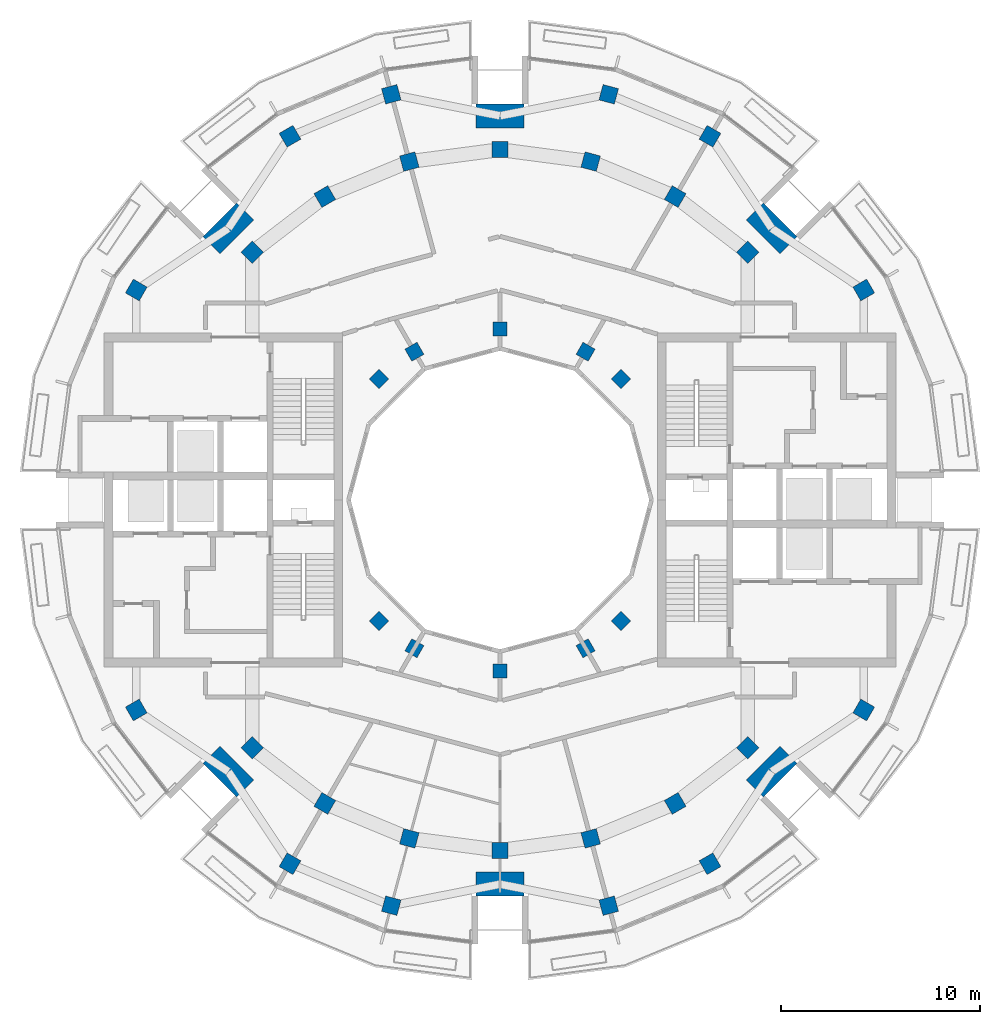
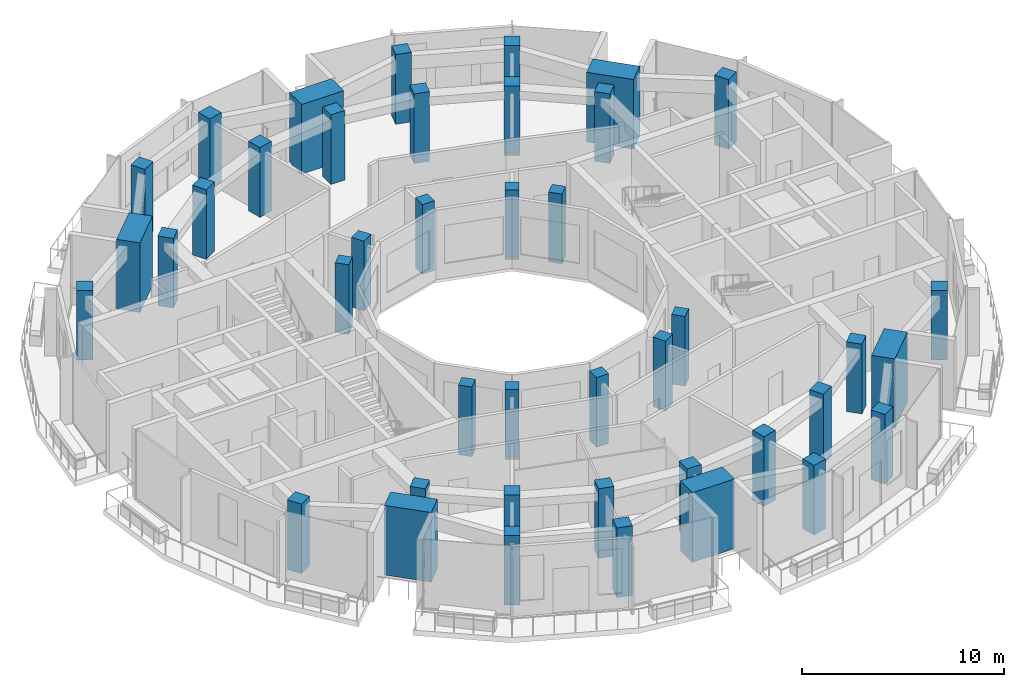
# One storey, part 1 of 16: 42 columns.
"""IFC4 building model written with IfcOpenShell, lengths in metres."""

from ifc_helpers import new_model, si_unit, direction, frame, origin, origin_2d, place, context, subcontext, project, spatial, rectangle, extrude, material, material_profile, profile_set, type_object, element, save


model = new_model("IFC4")

# Units and contexts
model_context = context("Model", 3, precision=1e-05, world=origin(), true_north=direction((0.0, 1.0)))
body_context = subcontext(model_context, "Body", "Model", "MODEL_VIEW")
ifc_project = project(units=[si_unit("LENGTHUNIT", "METRE"), si_unit("AREAUNIT", "SQUARE_METRE"), si_unit("VOLUMEUNIT", "CUBIC_METRE"), si_unit("PLANEANGLEUNIT", "RADIAN"), si_unit("MASSUNIT", "GRAM", prefix="KILO")], contexts=[model_context])

# Site, building, storey
site_placement = place(None, origin())
site = spatial("IfcSite", under=ifc_project, at=site_placement, CompositionType="ELEMENT")
building_placement = place(site_placement, origin())
building = spatial("IfcBuilding", under=site, at=building_placement, Name="Torre Brocal", CompositionType="ELEMENT")
storey_placement = place(building_placement, frame((0.0, 0.0, 292.5)))
storey = spatial("IfcBuildingStorey", under=building, at=storey_placement, Name="L67", CompositionType="ELEMENT", Elevation=292.5)

# Columns
ifc_material_1 = material(Name="Concrete C50", Category="concrete")
ifc_material_profile_1 = material_profile(ifc_material_1, rectangle(XDim=1.199951171875, YDim=2.39990234375, at=origin_2d()), Name="RC 1200X2400")
ifc_profile_set_1 = profile_set([ifc_material_profile_1], Name="Concrete C50")
column_type_1 = type_object("IfcColumnType", Name="RC COLUMN 1200X2400 C50", PredefinedType="COLUMN", material=ifc_profile_set_1)
for number, where, z_axis, x_axis, name in (
    (1, (93.647216796875, 88.647216796875, 0.0), (0.0, 0.0, 1.0), (0.707106781187, 0.707106781187, 0.0), "Column MCB-1"),
    (2, (80.0, 94.300048828125, 0.0), (0.0, 0.0, 1.0), (0.0, 1.0, 0.0), "Column MCB-2"),
    (3, (66.352783203125, 88.647216796875, 0.0), (0.0, 0.0, 1.0), (-0.707106781187, 0.707106781187, 0.0), "Column MCB-3"),
    (4, (66.352783203125, 61.352783203125, 0.0), (0.0, 0.0, 1.0), (-0.707106781187, -0.707106781187, 0.0), "Column MCB-5"),
    (5, (80.0, 55.699951171875, 0.0), (0.0, 0.0, 1.0), (0.0, -1.0, 0.0), "Column MCB-6"),
    (6, (93.647216796875, 61.352783203125, 0.0), (0.0, 0.0, 1.0), (0.707106781187, -0.707106781187, 0.0), "Column MCB-7"),
):
    element("IfcColumn", number, at=place(storey_placement, frame(where, z_axis=z_axis, x_axis=x_axis)), inside=storey, type_object=column_type_1, Name=name, PredefinedType="COLUMN", context=body_context, shape_type="SweptSolid", body=[
        extrude(rectangle(XDim=1.199951171875, YDim=2.39990234375, at=origin_2d()), origin(), (0.0, 0.0, 1.0), 4.199951171875),
    ])
ifc_material_2 = material(Name="Concrete C50", Category="concrete")
ifc_material_profile_2 = material_profile(ifc_material_2, rectangle(XDim=0.699951171875, YDim=0.699951171875, at=origin_2d()), Name="RC 700X700")
ifc_profile_set_2 = profile_set([ifc_material_profile_2], Name="Concrete C50")
column_type_2 = type_object("IfcColumnType", Name="RC COLUMN 700X700 C50", PredefinedType="COLUMN", material=ifc_profile_set_2)
for number, where, z_axis, x_axis, name in (
    (7, (86.0810546875, 81.0810546875, 0.0), (0.0, 0.0, 1.0), (0.707106781187, 0.707106781187, 0.0), "Column C-I03"),
    (8, (84.300048828125, 82.44775390625, 0.0), (0.0, 0.0, 1.0), (0.5, 0.866025403784, 0.0), "Column C-I04"),
    (9, (80.0, 83.60009765625, 0.0), (0.0, 0.0, 1.0), (0.0, 1.0, 0.0), "Column C-I06"),
    (10, (75.699951171875, 82.44775390625, 0.0), (0.0, 0.0, 1.0), (-0.5, 0.866025403784, 0.0), "Column C-I08"),
    (11, (73.9189453125, 81.0810546875, 0.0), (0.0, 0.0, 1.0), (-0.707106781187, 0.707106781187, 0.0), "Column C-I09"),
    (12, (73.9189453125, 68.9189453125, 0.0), (0.0, 0.0, 1.0), (-0.707106781187, -0.707106781187, 0.0), "Column C-I15"),
    (13, (75.699951171875, 67.55224609375, 0.0), (0.0, 0.0, 1.0), (-0.5, -0.866025403784, 0.0), "Column C-I16"),
    (14, (80.0, 66.39990234375, 0.0), (0.0, 0.0, 1.0), (0.0, -1.0, 0.0), "Column C-I18"),
    (15, (84.300048828125, 67.55224609375, 0.0), (0.0, 0.0, 1.0), (0.5, -0.866025403784, 0.0), "Column C-I20"),
    (16, (86.0810546875, 68.9189453125, 0.0), (0.0, 0.0, 1.0), (0.707106781187, -0.707106781187, 0.0), "Column C-I21"),
):
    element("IfcColumn", number, at=place(storey_placement, frame(where, z_axis=z_axis, x_axis=x_axis)), inside=storey, type_object=column_type_2, Name=name, PredefinedType="COLUMN", context=body_context, shape_type="SweptSolid", body=[
        extrude(rectangle(XDim=0.699951171875, YDim=0.699951171875, at=origin_2d()), origin(), (0.0, 0.0, 1.0), 4.199951171875),
    ])
ifc_material_3 = material(Name="Concrete C50", Category="concrete")
ifc_material_profile_3 = material_profile(ifc_material_3, rectangle(XDim=0.800048828125, YDim=0.800048828125, at=origin_2d()), Name="RC 800X800")
ifc_profile_set_3 = profile_set([ifc_material_profile_3], Name="Concrete C50")
column_type_3 = type_object("IfcColumnType", Name="RC COLUMN 800X800 C50", PredefinedType="COLUMN", material=ifc_profile_set_3)
for number, where, z_axis, x_axis, name in (
    (17, (98.273193359375, 85.550048828125, 0.0), (0.0, 0.0, 1.0), (0.866025403784, 0.5, 0.0), "Column C-OB02"),
    (18, (90.550048828125, 93.273193359375, 0.0), (0.0, 0.0, 1.0), (0.5, 0.866025403784, 0.0), "Column C-OB04"),
    (19, (85.461181640625, 95.381103515625, 0.0), (0.0, 0.0, 1.0), (0.258819045103, 0.965925826289, 0.0), "Column C-OB05"),
    (20, (74.538818359375, 95.381103515625, 0.0), (0.0, 0.0, 1.0), (-0.258819045103, 0.965925826289, 0.0), "Column C-OB07"),
    (21, (69.449951171875, 93.273193359375, 0.0), (0.0, 0.0, 1.0), (-0.5, 0.866025403784, 0.0), "Column C-OB08"),
    (22, (61.726806640625, 85.550048828125, 0.0), (0.0, 0.0, 1.0), (-0.866025403784, 0.5, 0.0), "Column C-OB10"),
    (23, (61.726806640625, 64.449951171875, 0.0), (0.0, 0.0, 1.0), (-0.866025403784, -0.5, 0.0), "Column C-OB14"),
    (24, (69.449951171875, 56.726806640625, 0.0), (0.0, 0.0, 1.0), (-0.5, -0.866025403784, 0.0), "Column C-OB16"),
    (25, (74.538818359375, 54.618896484375, 0.0), (0.0, 0.0, 1.0), (-0.258819045103, -0.965925826289, 0.0), "Column C-OB17"),
    (26, (85.461181640625, 54.618896484375, 0.0), (0.0, 0.0, 1.0), (0.258819045103, -0.965925826289, 0.0), "Column C-OB19"),
    (27, (90.550048828125, 56.726806640625, 0.0), (0.0, 0.0, 1.0), (0.5, -0.866025403784, 0.0), "Column C-OB20"),
    (28, (98.273193359375, 64.449951171875, 0.0), (0.0, 0.0, 1.0), (0.866025403784, -0.5, 0.0), "Column C-OB22"),
    (29, (92.445068359375, 87.445068359375, 0.0), (0.0, 0.0, 1.0), (0.707106781187, 0.707106781187, 0.0), "Column C-M03"),
    (30, (88.800048828125, 90.241943359375, 0.0), (0.0, 0.0, 1.0), (0.5, 0.866025403784, 0.0), "Column C-M04"),
    (31, (84.55517578125, 92.000244140625, 0.0), (0.0, 0.0, 1.0), (0.258819045103, 0.965925826289, 0.0), "Column C-M05"),
    (32, (80.0, 92.60009765625, 0.0), (0.0, 0.0, 1.0), (0.0, 1.0, 0.0), "Column C-M06"),
    (33, (75.44482421875, 92.000244140625, 0.0), (0.0, 0.0, 1.0), (-0.258819045103, 0.965925826289, 0.0), "Column C-M07"),
    (34, (71.199951171875, 90.241943359375, 0.0), (0.0, 0.0, 1.0), (-0.5, 0.866025403784, 0.0), "Column C-M08"),
    (35, (67.554931640625, 87.445068359375, 0.0), (0.0, 0.0, 1.0), (-0.707106781187, 0.707106781187, 0.0), "Column C-M09"),
    (36, (67.554931640625, 62.554931640625, 0.0), (0.0, 0.0, 1.0), (-0.707106781187, -0.707106781187, 0.0), "Column C-M15"),
    (37, (71.199951171875, 59.758056640625, 0.0), (0.0, 0.0, 1.0), (-0.5, -0.866025403784, 0.0), "Column C-M16"),
    (38, (75.44482421875, 57.999755859375, 0.0), (0.0, 0.0, 1.0), (-0.258819045103, -0.965925826289, 0.0), "Column C-M17"),
    (39, (80.0, 57.39990234375, 0.0), (0.0, 0.0, 1.0), (0.0, -1.0, 0.0), "Column C-M18"),
    (40, (84.55517578125, 57.999755859375, 0.0), (0.0, 0.0, 1.0), (0.258819045103, -0.965925826289, 0.0), "Column C-M19"),
    (41, (88.800048828125, 59.758056640625, 0.0), (0.0, 0.0, 1.0), (0.5, -0.866025403784, 0.0), "Column C-M20"),
    (42, (92.445068359375, 62.554931640625, 0.0), (0.0, 0.0, 1.0), (0.707106781187, -0.707106781187, 0.0), "Column C-M21"),
):
    element("IfcColumn", number, at=place(storey_placement, frame(where, z_axis=z_axis, x_axis=x_axis)), inside=storey, type_object=column_type_3, Name=name, PredefinedType="COLUMN", context=body_context, shape_type="SweptSolid", body=[
        extrude(rectangle(XDim=0.800048828125, YDim=0.800048828125, at=origin_2d()), origin(), (0.0, 0.0, 1.0), 4.199951171875),
    ])

save(model, "model.ifc")
